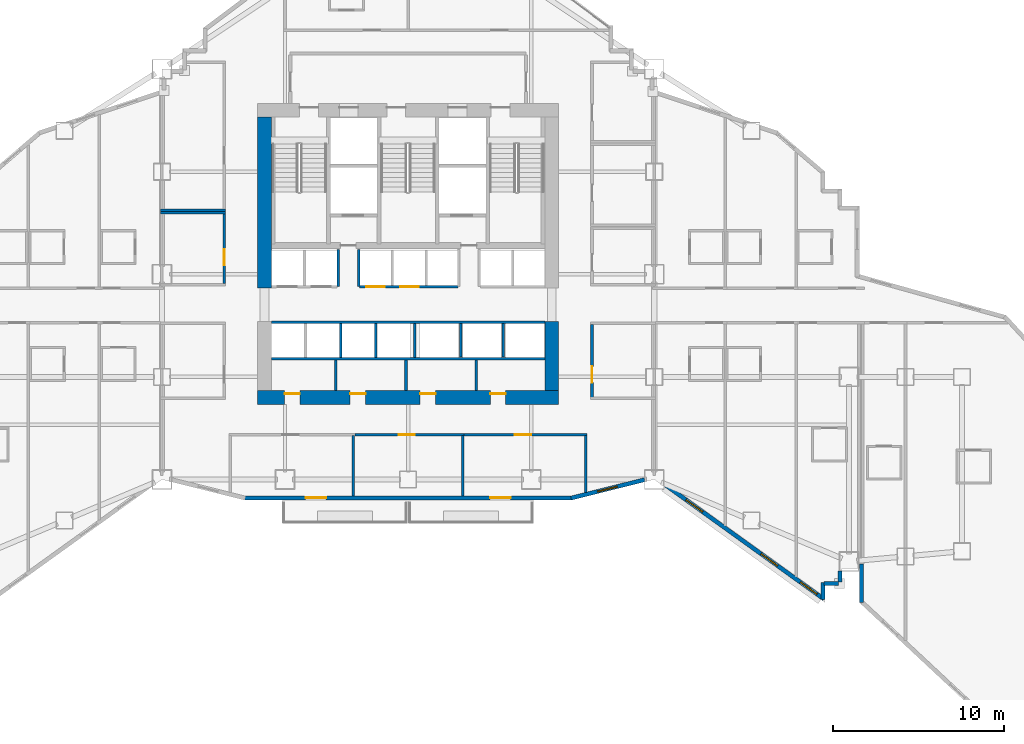
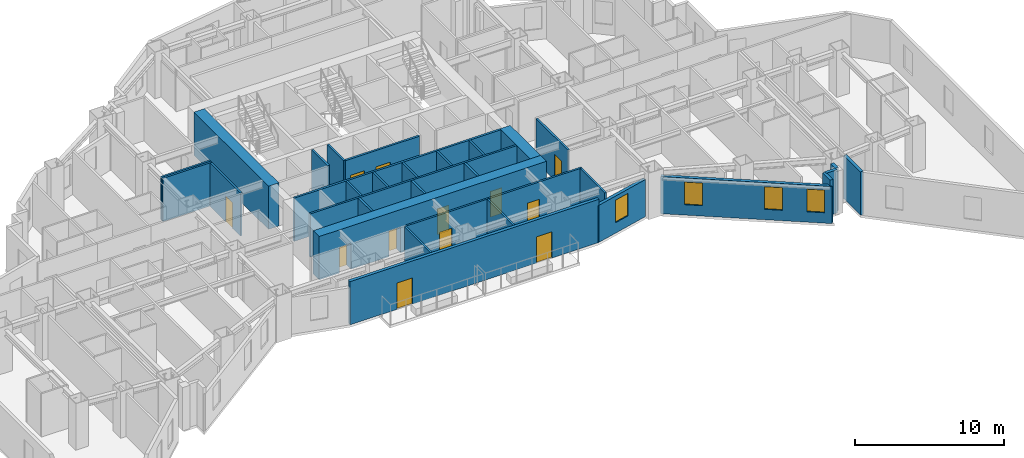
# One storey, part 9 of 16: 32 walls, 12 doors, 4 windows, 16 openings.
"""IFC4 building model written with IfcOpenShell, lengths in metres."""

from ifc_helpers import new_model, si_unit, direction, frame, frame_2d, origin, place, context, subcontext, project, spatial, rectangle, extrude, material, layer, layer_set, type_object, element, fill, save


model = new_model("IFC4")

# Units and contexts
model_context = context("Model", 3, precision=1e-05, world=origin(), true_north=direction((0.0, 1.0)))
body_context = subcontext(model_context, "Body", "Model", "MODEL_VIEW")
ifc_project = project(units=[si_unit("LENGTHUNIT", "METRE"), si_unit("AREAUNIT", "SQUARE_METRE"), si_unit("VOLUMEUNIT", "CUBIC_METRE"), si_unit("PLANEANGLEUNIT", "RADIAN"), si_unit("MASSUNIT", "GRAM", prefix="KILO")], contexts=[model_context])

# Site, building, storey
site_placement = place(None, origin())
site = spatial("IfcSite", under=ifc_project, at=site_placement, CompositionType="ELEMENT")
building_placement = place(site_placement, origin())
building = spatial("IfcBuilding", under=site, at=building_placement, Name="Haolan Belvedere Tower", CompositionType="ELEMENT")
storey_placement = place(building_placement, frame((0.0, 0.0, 85.60009765625)))
storey = spatial("IfcBuildingStorey", under=building, at=storey_placement, Name="L21", CompositionType="ELEMENT", Elevation=85.60009765625)

# Wall, openings, doors
ifc_material_1 = material(Name="Concrete C70/85", Category="concrete")
ifc_layer_1 = layer(ifc_material_1, 0.800048828125, Name="Concrete C70/85")
ifc_layer_set_1 = layer_set([ifc_layer_1], Name="Concrete C70/85")
wall_type_1 = type_object("IfcWallType", Name="WL-CORE-800", PredefinedType="SHEAR", material=ifc_layer_set_1)
wall_1_placement = place(storey_placement, frame((29.60009765625, 26.39990234375, 0.0), z_axis=(0.0, 0.0, 1.0), x_axis=(1.0, 0.0, 0.0)))
wall_1 = element("IfcWall", 1, at=wall_1_placement, inside=storey, type_object=wall_type_1, Name="L21 central core south shear wall", PredefinedType="SHEAR", context=body_context, shape_type="SweptSolid", body=[
    extrude(rectangle(XDim=17.599853515625, YDim=0.800048828125, at=frame_2d((8.7998046875, 0.0))), origin(), (0.0, 0.0, 1.0), 3.539794921875),
])
opening_1_placement = place(wall_1_placement, frame((2.469970703125, 0.0, 0.0), z_axis=(0.0, 0.0, 1.0), x_axis=(-1.0, 0.0, 0.0)))
opening_1 = element("IfcOpeningElement", 2, at=opening_1_placement, cuts=wall_1, Name="Opening FD-05", PredefinedType="OPENING", context=body_context, shape_type="SweptSolid", body=[
    extrude(rectangle(XDim=0.89990234375, YDim=2.10009765625, at=frame_2d((0.449951171875, 1.050048828125))), frame((0.0, 0.409912109375, 0.0), z_axis=(0.0, -1.0, 0.0), x_axis=(1.0, 0.0, 0.0)), (0.0, 0.0, 1.0), 0.820068359375),
])
opening_2_placement = place(wall_1_placement, frame((6.309814453125, 0.0, 0.0), z_axis=(0.0, 0.0, 1.0), x_axis=(-1.0, 0.0, 0.0)))
opening_2 = element("IfcOpeningElement", 3, at=opening_2_placement, cuts=wall_1, Name="Opening FD-05", PredefinedType="OPENING", context=body_context, shape_type="SweptSolid", body=[
    extrude(rectangle(XDim=0.89990234375, YDim=2.10009765625, at=frame_2d((0.449951171875, 1.050048828125))), frame((0.0, 0.409912109375, 0.0), z_axis=(0.0, -1.0, 0.0), x_axis=(1.0, 0.0, 0.0)), (0.0, 0.0, 1.0), 0.820068359375),
])
opening_3_placement = place(wall_1_placement, frame((10.409912109375, 0.0, 0.0), z_axis=(0.0, 0.0, 1.0), x_axis=(-1.0, 0.0, 0.0)))
opening_3 = element("IfcOpeningElement", 4, at=opening_3_placement, cuts=wall_1, Name="Opening FD-05", PredefinedType="OPENING", context=body_context, shape_type="SweptSolid", body=[
    extrude(rectangle(XDim=0.89990234375, YDim=2.10009765625, at=frame_2d((0.449951171875, 1.050048828125))), frame((0.0, 0.409912109375, 0.0), z_axis=(0.0, -1.0, 0.0), x_axis=(1.0, 0.0, 0.0)), (0.0, 0.0, 1.0), 0.820068359375),
])
opening_4_placement = place(wall_1_placement, frame((14.510009765625, 0.0, 0.0), z_axis=(0.0, 0.0, 1.0), x_axis=(-1.0, 0.0, 0.0)))
opening_4 = element("IfcOpeningElement", 5, at=opening_4_placement, cuts=wall_1, Name="Opening FD-05", PredefinedType="OPENING", context=body_context, shape_type="SweptSolid", body=[
    extrude(rectangle(XDim=0.89990234375, YDim=2.10009765625, at=frame_2d((0.449951171875, 1.050048828125))), frame((0.0, 0.409912109375, 0.0), z_axis=(0.0, -1.0, 0.0), x_axis=(1.0, 0.0, 0.0)), (0.0, 0.0, 1.0), 0.820068359375),
])
ifc_material_2 = material(Name="Galvanised fire-rated steel", Category="steel")
door_type_1 = type_object("IfcDoorType", Name="DR-FD60-900", OperationType="NOTDEFINED", PredefinedType="DOOR", material=ifc_material_2)
door_1_placement = place(opening_1_placement, origin())
door_1 = element("IfcDoor", 6, at=door_1_placement, inside=storey, type_object=door_type_1, Name="L21 door CD-L21-SCV-1", OperationType="SINGLE_SWING_LEFT", OverallHeight=2.10009765625, OverallWidth=0.89990234375, PredefinedType="DOOR", context=body_context, shape_type="SweptSolid", body=[
    extrude(rectangle(XDim=0.89990234375, YDim=2.10009765625, at=frame_2d((0.449951171875, 1.050048828125))), frame((0.0, -0.19482421875, 0.0), z_axis=(0.0, -1.0, 0.0), x_axis=(1.0, 0.0, 0.0)), (0.0, 0.0, 1.0), 0.050048828125),
])
fill(opening_1, door_1)
door_2_placement = place(opening_2_placement, origin())
door_2 = element("IfcDoor", 7, at=door_2_placement, inside=storey, type_object=door_type_1, Name="L21 door CD-L21-SCV-2", OperationType="SINGLE_SWING_RIGHT", OverallHeight=2.10009765625, OverallWidth=0.89990234375, PredefinedType="DOOR", context=body_context, shape_type="SweptSolid", body=[
    extrude(rectangle(XDim=0.89990234375, YDim=2.10009765625, at=frame_2d((0.449951171875, 1.050048828125))), frame((0.0, -0.19482421875, 0.0), z_axis=(0.0, -1.0, 0.0), x_axis=(1.0, 0.0, 0.0)), (0.0, 0.0, 1.0), 0.050048828125),
])
fill(opening_2, door_2)
door_3_placement = place(opening_3_placement, origin())
door_3 = element("IfcDoor", 8, at=door_3_placement, inside=storey, type_object=door_type_1, Name="L21 door CD-L21-SCV-3", OperationType="SINGLE_SWING_LEFT", OverallHeight=2.10009765625, OverallWidth=0.89990234375, PredefinedType="DOOR", context=body_context, shape_type="SweptSolid", body=[
    extrude(rectangle(XDim=0.89990234375, YDim=2.10009765625, at=frame_2d((0.449951171875, 1.050048828125))), frame((0.0, -0.19482421875, 0.0), z_axis=(0.0, -1.0, 0.0), x_axis=(1.0, 0.0, 0.0)), (0.0, 0.0, 1.0), 0.050048828125),
])
fill(opening_3, door_3)
door_4_placement = place(opening_4_placement, origin())
door_4 = element("IfcDoor", 9, at=door_4_placement, inside=storey, type_object=door_type_1, Name="L21 door CD-L21-SCV-4", OperationType="SINGLE_SWING_RIGHT", OverallHeight=2.10009765625, OverallWidth=0.89990234375, PredefinedType="DOOR", context=body_context, shape_type="SweptSolid", body=[
    extrude(rectangle(XDim=0.89990234375, YDim=2.10009765625, at=frame_2d((0.449951171875, 1.050048828125))), frame((0.0, -0.19482421875, 0.0), z_axis=(0.0, -1.0, 0.0), x_axis=(1.0, 0.0, 0.0)), (0.0, 0.0, 1.0), 0.050048828125),
])
fill(opening_4, door_4)

# Walls
wall_2_placement = place(storey_placement, frame((30.0, 32.800048828125, 0.0), z_axis=(0.0, 0.0, 1.0), x_axis=(0.0, 1.0, 0.0)))
element("IfcWall", 10, at=wall_2_placement, inside=storey, type_object=wall_type_1, Name="L21 central core shear wall WN", PredefinedType="SHEAR", context=body_context, shape_type="SweptSolid", body=[
    extrude(rectangle(XDim=10.0, YDim=0.800048828125, at=frame_2d((5.0, 0.0))), origin(), (0.0, 0.0, 1.0), 3.539794921875),
])
wall_3_placement = place(storey_placement, frame((46.800048828125, 26.800048828125, 0.0), z_axis=(0.0, 0.0, 1.0), x_axis=(0.0, 1.0, 0.0)))
element("IfcWall", 11, at=wall_3_placement, inside=storey, type_object=wall_type_1, Name="L21 central core shear wall ES", PredefinedType="SHEAR", context=body_context, shape_type="SweptSolid", body=[
    extrude(rectangle(XDim=4.050048828125, YDim=0.800048828125, at=frame_2d((2.02490234375, 0.0))), origin(), (0.0, 0.0, 1.0), 3.539794921875),
])

# Wall, openings, doors
ifc_material_3 = material(Name="Precast concrete C40/50", Category="concrete")
ifc_layer_2 = layer(ifc_material_3, 0.239990234375, Name="Precast concrete C40/50")
ifc_layer_set_2 = layer_set([ifc_layer_2], Name="Precast concrete C40/50")
wall_type_2 = type_object("IfcWallType", Name="WL-EXT-240", PredefinedType="SOLIDWALL", material=ifc_layer_set_2)
wall_4_placement = place(storey_placement, frame((28.759765625, 20.52001953125, 0.0), z_axis=(0.0, 0.0, 1.0), x_axis=(1.0, 0.0, 0.0)))
wall_4 = element("IfcWall", 12, at=wall_4_placement, inside=storey, type_object=wall_type_2, Name="L21 pale-metal exterior spandrel wall 13.1", PredefinedType="SOLIDWALL", context=body_context, shape_type="SweptSolid", body=[
    extrude(rectangle(XDim=19.280517578125, YDim=0.239990234375, at=frame_2d((9.64013671875, 0.0))), origin(), (0.0, 0.0, 1.0), 3.539794921875),
])
opening_5_placement = place(wall_4_placement, frame((4.840087890625, 0.0, 0.0), z_axis=(0.0, 0.0, 1.0), x_axis=(-1.0, 0.0, 0.0)))
opening_5 = element("IfcOpeningElement", 13, at=opening_5_placement, cuts=wall_4, Name="Opening BD-01", PredefinedType="OPENING", context=body_context, shape_type="SweptSolid", body=[
    extrude(rectangle(XDim=1.199951171875, YDim=2.14990234375, at=frame_2d((0.60009765625, 1.074951171875))), frame((0.0, 0.1298828125, 0.0), z_axis=(0.0, -1.0, 0.0), x_axis=(1.0, 0.0, 0.0)), (0.0, 0.0, 1.0), 0.260009765625),
])
opening_6_placement = place(wall_4_placement, frame((15.64013671875, 0.0, 0.0), z_axis=(0.0, 0.0, 1.0), x_axis=(-1.0, 0.0, 0.0)))
opening_6 = element("IfcOpeningElement", 14, at=opening_6_placement, cuts=wall_4, Name="Opening BD-01", PredefinedType="OPENING", context=body_context, shape_type="SweptSolid", body=[
    extrude(rectangle(XDim=1.199951171875, YDim=2.14990234375, at=frame_2d((0.60009765625, 1.074951171875))), frame((0.0, 0.1298828125, 0.0), z_axis=(0.0, -1.0, 0.0), x_axis=(1.0, 0.0, 0.0)), (0.0, 0.0, 1.0), 0.260009765625),
])
ifc_material_4 = material(Name="Thermally broken pale-metal aluminium and Low-E glass", Category="aluminium")
door_type_2 = type_object("IfcDoorType", Name="DR-BAL-1200", OperationType="NOTDEFINED", PredefinedType="DOOR", material=ifc_material_4)
door_5_placement = place(opening_5_placement, origin())
door_5 = element("IfcDoor", 15, at=door_5_placement, inside=storey, type_object=door_type_2, Name="L21 tree-balcony access door 1", OperationType="SINGLE_SWING_LEFT", OverallHeight=2.14990234375, OverallWidth=1.199951171875, PredefinedType="DOOR", context=body_context, shape_type="SweptSolid", body=[
    extrude(rectangle(XDim=1.199951171875, YDim=2.14990234375, at=frame_2d((0.60009765625, 1.074951171875))), frame((0.0, 0.02490234375, 0.0), z_axis=(0.0, -1.0, 0.0), x_axis=(1.0, 0.0, 0.0)), (0.0, 0.0, 1.0), 0.050048828125),
])
fill(opening_5, door_5)
door_6_placement = place(opening_6_placement, origin())
door_6 = element("IfcDoor", 16, at=door_6_placement, inside=storey, type_object=door_type_2, Name="L21 tree-balcony access door 2", OperationType="SINGLE_SWING_RIGHT", OverallHeight=2.14990234375, OverallWidth=1.199951171875, PredefinedType="DOOR", context=body_context, shape_type="SweptSolid", body=[
    extrude(rectangle(XDim=1.199951171875, YDim=2.14990234375, at=frame_2d((0.60009765625, 1.074951171875))), frame((0.0, 0.02490234375, 0.0), z_axis=(0.0, -1.0, 0.0), x_axis=(1.0, 0.0, 0.0)), (0.0, 0.0, 1.0), 0.050048828125),
])
fill(opening_6, door_6)

# Wall, opening, window
wall_5_placement = place(storey_placement, frame((47.931884765625, 20.506591796875, 0.0), z_axis=(0.0, 0.0, 1.0), x_axis=(0.970145739396, 0.242522667667, 0.0)))
wall_5 = element("IfcWall", 17, at=wall_5_placement, inside=storey, type_object=wall_type_2, Name="L21 pale-metal exterior spandrel wall 14.1", PredefinedType="SOLIDWALL", context=body_context, shape_type="SweptSolid", body=[
    extrude(rectangle(XDim=4.433349609375, YDim=0.239990234375, at=frame_2d((2.216796875, 0.0))), origin(), (0.0, 0.0, 1.0), 3.036865234375),
])
opening_7_placement = place(wall_5_placement, frame((1.60009765625, 0.0, 0.85009765625)))
opening_7 = element("IfcOpeningElement", 18, at=opening_7_placement, cuts=wall_5, Name="Opening W-01", PredefinedType="OPENING", context=body_context, shape_type="SweptSolid", body=[
    extrude(rectangle(XDim=1.199951171875, YDim=1.85009765625, at=frame_2d((0.60009765625, 0.925048828125))), frame((0.0, 0.1298828125, 0.0), z_axis=(0.0, -1.0, 0.0), x_axis=(1.0, 0.0, 0.0)), (0.0, 0.0, 1.0), 0.260009765625),
])
ifc_material_5 = material(Name="Anodised aluminium 6063-T6 and Low-E glass", Category="aluminium")
window_type = type_object("IfcWindowType", Name="WN-DECO-Z1", PartitioningType="SINGLE_PANEL", PredefinedType="WINDOW", material=ifc_material_5)
window_1_placement = place(opening_7_placement, origin())
window_1 = element("IfcWindow", 19, at=window_1_placement, inside=storey, type_object=window_type, Name="L21 Art Deco chevron window 1", OverallHeight=1.85009765625, OverallWidth=1.199951171875, PartitioningType="SINGLE_PANEL", PredefinedType="WINDOW", context=body_context, shape_type="SweptSolid", body=[
    extrude(rectangle(XDim=1.199951171875, YDim=1.85009765625, at=frame_2d((0.60009765625, 0.925048828125))), frame((0.0, 0.030029296875, 0.0), z_axis=(0.0, -1.0, 0.0), x_axis=(1.0, 0.0, 0.0)), (0.0, 0.0, 1.0), 0.06005859375),
])
fill(opening_7, window_1)

# Wall, openings, windows
wall_6_placement = place(storey_placement, frame((53.366943359375, 21.339599609375, 0.0), z_axis=(0.0, 0.0, 1.0), x_axis=(0.811543176492, -0.58429245476, 0.0)))
wall_6 = element("IfcWall", 20, at=wall_6_placement, inside=storey, type_object=wall_type_2, Name="L21 pale-metal exterior spandrel wall 15.1", PredefinedType="SOLIDWALL", context=body_context, shape_type="SweptSolid", body=[
    extrude(rectangle(XDim=11.53076171875, YDim=0.239990234375, at=frame_2d((5.765380859375, 0.0))), origin(), (0.0, 0.0, 1.0), 3.036865234375),
])
opening_8_placement = place(wall_6_placement, frame((1.60009765625, 0.0, 0.85009765625)))
opening_8 = element("IfcOpeningElement", 21, at=opening_8_placement, cuts=wall_6, Name="Opening W-01", PredefinedType="OPENING", context=body_context, shape_type="SweptSolid", body=[
    extrude(rectangle(XDim=1.199951171875, YDim=1.85009765625, at=frame_2d((0.60009765625, 0.925048828125))), frame((0.0, 0.1298828125, 0.0), z_axis=(0.0, -1.0, 0.0), x_axis=(1.0, 0.0, 0.0)), (0.0, 0.0, 1.0), 0.260009765625),
])
opening_9_placement = place(wall_6_placement, frame((7.0, 0.0, 0.85009765625)))
opening_9 = element("IfcOpeningElement", 22, at=opening_9_placement, cuts=wall_6, Name="Opening W-01", PredefinedType="OPENING", context=body_context, shape_type="SweptSolid", body=[
    extrude(rectangle(XDim=1.199951171875, YDim=1.85009765625, at=frame_2d((0.60009765625, 0.925048828125))), frame((0.0, 0.1298828125, 0.0), z_axis=(0.0, -1.0, 0.0), x_axis=(1.0, 0.0, 0.0)), (0.0, 0.0, 1.0), 0.260009765625),
])
opening_10_placement = place(wall_6_placement, frame((9.842041015625, 0.0, 0.85009765625)))
opening_10 = element("IfcOpeningElement", 23, at=opening_10_placement, cuts=wall_6, Name="Opening W-01", PredefinedType="OPENING", context=body_context, shape_type="SweptSolid", body=[
    extrude(rectangle(XDim=1.199951171875, YDim=1.85009765625, at=frame_2d((0.60009765625, 0.925048828125))), frame((0.0, 0.1298828125, 0.0), z_axis=(0.0, -1.0, 0.0), x_axis=(1.0, 0.0, 0.0)), (0.0, 0.0, 1.0), 0.260009765625),
])
window_2_placement = place(opening_8_placement, origin())
window_2 = element("IfcWindow", 24, at=window_2_placement, inside=storey, type_object=window_type, Name="L21 Art Deco chevron window 1", OverallHeight=1.85009765625, OverallWidth=1.199951171875, PartitioningType="SINGLE_PANEL", PredefinedType="WINDOW", context=body_context, shape_type="SweptSolid", body=[
    extrude(rectangle(XDim=1.199951171875, YDim=1.85009765625, at=frame_2d((0.60009765625, 0.925048828125))), frame((0.0, 0.030029296875, 0.0), z_axis=(0.0, -1.0, 0.0), x_axis=(1.0, 0.0, 0.0)), (0.0, 0.0, 1.0), 0.06005859375),
])
fill(opening_8, window_2)
window_3_placement = place(opening_9_placement, origin())
window_3 = element("IfcWindow", 25, at=window_3_placement, inside=storey, type_object=window_type, Name="L21 Art Deco chevron window 2", OverallHeight=1.85009765625, OverallWidth=1.199951171875, PartitioningType="SINGLE_PANEL", PredefinedType="WINDOW", context=body_context, shape_type="SweptSolid", body=[
    extrude(rectangle(XDim=1.199951171875, YDim=1.85009765625, at=frame_2d((0.60009765625, 0.925048828125))), frame((0.0, 0.030029296875, 0.0), z_axis=(0.0, -1.0, 0.0), x_axis=(1.0, 0.0, 0.0)), (0.0, 0.0, 1.0), 0.06005859375),
])
fill(opening_9, window_3)
window_4_placement = place(opening_10_placement, origin())
window_4 = element("IfcWindow", 26, at=window_4_placement, inside=storey, type_object=window_type, Name="L21 Art Deco guestroom window 3", OverallHeight=1.85009765625, OverallWidth=1.199951171875, PartitioningType="SINGLE_PANEL", PredefinedType="WINDOW", context=body_context, shape_type="SweptSolid", body=[
    extrude(rectangle(XDim=1.199951171875, YDim=1.85009765625, at=frame_2d((0.60009765625, 0.925048828125))), frame((0.0, 0.030029296875, 0.0), z_axis=(0.0, -1.0, 0.0), x_axis=(1.0, 0.0, 0.0)), (0.0, 0.0, 1.0), 0.06005859375),
])
fill(opening_10, window_4)

# Walls
wall_7_placement = place(storey_placement, frame((62.679931640625, 14.579345703125, 0.0), z_axis=(0.0, 0.0, 1.0), x_axis=(0.0, 1.0, 0.0)))
element("IfcWall", 27, at=wall_7_placement, inside=storey, type_object=wall_type_2, Name="L21 pale-metal exterior spandrel wall 16.1", PredefinedType="SOLIDWALL", context=body_context, shape_type="SweptSolid", body=[
    extrude(rectangle(XDim=0.99560546875, YDim=0.239990234375, at=frame_2d((0.497802734375, 0.0))), origin(), (0.0, 0.0, 1.0), 3.539794921875),
])
wall_8_placement = place(storey_placement, frame((62.7451171875, 15.52001953125, 0.0), z_axis=(0.0, 0.0, 1.0), x_axis=(1.0, 0.0, 0.0)))
element("IfcWall", 28, at=wall_8_placement, inside=storey, type_object=wall_type_2, Name="L21 pale-metal exterior spandrel wall 17.1", PredefinedType="SOLIDWALL", context=body_context, shape_type="SweptSolid", body=[
    extrude(rectangle(XDim=0.849853515625, YDim=0.239990234375, at=frame_2d((0.4248046875, 0.0))), origin(), (0.0, 0.0, 1.0), 3.539794921875),
])
wall_9_placement = place(storey_placement, frame((63.679931640625, 15.60498046875, 0.0), z_axis=(0.0, 0.0, 1.0), x_axis=(0.0, 1.0, 0.0)))
element("IfcWall", 29, at=wall_9_placement, inside=storey, type_object=wall_type_2, Name="L21 pale-metal exterior spandrel wall 18.1", PredefinedType="SOLIDWALL", context=body_context, shape_type="SweptSolid", body=[
    extrude(rectangle(XDim=0.6279296875, YDim=0.239990234375, at=frame_2d((0.31396484375, 0.0))), origin(), (0.0, 0.0, 1.0), 3.539794921875),
])
wall_10_placement = place(storey_placement, frame((64.919921875, 16.639892578125, 0.0), z_axis=(0.0, 0.0, 1.0), x_axis=(0.0, -1.0, 0.0)))
element("IfcWall", 30, at=wall_10_placement, inside=storey, type_object=wall_type_2, Name="L21 pale-metal exterior spandrel wall 20.1", PredefinedType="SOLIDWALL", context=body_context, shape_type="SweptSolid", body=[
    extrude(rectangle(XDim=2.24267578125, YDim=0.239990234375, at=frame_2d((1.121337890625, 0.0))), origin(), (0.0, 0.0, 1.0), 3.539794921875),
])
ifc_material_6 = material(Name="Double gypsum acoustic stud partition", Category="masonry")
ifc_layer_3 = layer(ifc_material_6, 0.14990234375, Name="Double gypsum acoustic stud partition")
ifc_layer_set_3 = layer_set([ifc_layer_3], Name="Double gypsum acoustic stud partition")
wall_type_3 = type_object("IfcWallType", Name="WL-PART-150", PredefinedType="PARTITIONING", material=ifc_layer_set_3)
wall_11_placement = place(storey_placement, frame((30.39990234375, 28.659912109375, 0.0), z_axis=(0.0, 0.0, 1.0), x_axis=(1.0, 0.0, 0.0)))
element("IfcWall", 31, at=wall_11_placement, inside=storey, type_object=wall_type_3, Name="L21 interior partition IW-L21-SSTRIP-N", PredefinedType="PARTITIONING", context=body_context, shape_type="SweptSolid", body=[
    extrude(rectangle(XDim=16.0, YDim=0.14990234375, at=frame_2d((8.0, 0.0))), origin(), (0.0, 0.0, 1.0), 3.539794921875),
])
for number, where, z_axis, x_axis, name in (
    (32, (34.179931640625, 26.81005859375, 0.0), (0.0, 0.0, 1.0), (0.0, 1.0, 0.0), "L21 interior partition IW-L21-SCV-DIV-1"),
    (33, (38.280029296875, 26.81005859375, 0.0), (0.0, 0.0, 1.0), (0.0, 1.0, 0.0), "L21 interior partition IW-L21-SCV-DIV-2"),
    (34, (42.3798828125, 26.81005859375, 0.0), (0.0, 0.0, 1.0), (0.0, 1.0, 0.0), "L21 interior partition IW-L21-SCV-DIV-3"),
):
    element("IfcWall", number, at=place(storey_placement, frame(where, z_axis=z_axis, x_axis=x_axis)), inside=storey, type_object=wall_type_3, Name=name, PredefinedType="PARTITIONING", context=body_context, shape_type="SweptSolid", body=[
        extrude(rectangle(XDim=1.77001953125, YDim=0.14990234375, at=frame_2d((0.885009765625, 0.0))), origin(), (0.0, 0.0, 1.0), 3.539794921875),
    ])
wall_12_placement = place(storey_placement, frame((23.919921875, 37.199951171875, 0.0), z_axis=(0.0, 0.0, 1.0), x_axis=(1.0, 0.0, 0.0)))
element("IfcWall", 35, at=wall_12_placement, inside=storey, type_object=wall_type_3, Name="L21 interior partition IW-L21-HSK-N", PredefinedType="PARTITIONING", context=body_context, shape_type="SweptSolid", body=[
    extrude(rectangle(XDim=3.800048828125, YDim=0.14990234375, at=frame_2d((1.89990234375, 0.0))), origin(), (0.0, 0.0, 1.0), 3.539794921875),
])

# Wall, opening, door
wall_13_placement = place(storey_placement, frame((27.639892578125, 33.06005859375, 0.0), z_axis=(0.0, 0.0, 1.0), x_axis=(0.0, 1.0, 0.0)))
wall_13 = element("IfcWall", 36, at=wall_13_placement, inside=storey, type_object=wall_type_3, Name="L21 interior partition IW-L21-HSK-E", PredefinedType="PARTITIONING", context=body_context, shape_type="SweptSolid", body=[
    extrude(rectangle(XDim=4.079833984375, YDim=0.14990234375, at=frame_2d((2.0400390625, 0.0))), origin(), (0.0, 0.0, 1.0), 3.539794921875),
])
opening_11_placement = place(wall_13_placement, frame((2.010009765625, 0.0, 0.0), z_axis=(0.0, 0.0, 1.0), x_axis=(-1.0, 0.0, 0.0)))
opening_11 = element("IfcOpeningElement", 37, at=opening_11_placement, cuts=wall_13, Name="Opening ID-03", PredefinedType="OPENING", context=body_context, shape_type="SweptSolid", body=[
    extrude(rectangle(XDim=0.949951171875, YDim=2.1201171875, at=frame_2d((0.47509765625, 1.06005859375))), frame((0.0, 0.0849609375, 0.0), z_axis=(0.0, -1.0, 0.0), x_axis=(1.0, 0.0, 0.0)), (0.0, 0.0, 1.0), 0.169921875),
])
ifc_material_7 = material(Name="Painted solid-core timber", Category="wood")
door_type_3 = type_object("IfcDoorType", Name="DR-INT-950", OperationType="NOTDEFINED", PredefinedType="DOOR", material=ifc_material_7)
door_7_placement = place(opening_11_placement, origin())
door_7 = element("IfcDoor", 38, at=door_7_placement, inside=storey, type_object=door_type_3, Name="L21 door ID-L21-HSK", OperationType="SINGLE_SWING_LEFT", OverallHeight=2.1201171875, OverallWidth=0.949951171875, PredefinedType="DOOR", context=body_context, shape_type="SweptSolid", body=[
    extrude(rectangle(XDim=0.949951171875, YDim=2.1201171875, at=frame_2d((0.47509765625, 1.06005859375))), frame((0.0, 0.02490234375, 0.0), z_axis=(0.0, -1.0, 0.0), x_axis=(1.0, 0.0, 0.0)), (0.0, 0.0, 1.0), 0.050048828125),
])
fill(opening_11, door_7)

# Wall
wall_14_placement = place(storey_placement, frame((23.919921875, 37.360107421875, 0.0), z_axis=(0.0, 0.0, 1.0), x_axis=(1.0, 0.0, 0.0)))
element("IfcWall", 39, at=wall_14_placement, inside=storey, type_object=wall_type_3, Name="L21 interior partition IW-L21-MTG-S", PredefinedType="PARTITIONING", context=body_context, shape_type="SweptSolid", body=[
    extrude(rectangle(XDim=3.800048828125, YDim=0.14990234375, at=frame_2d((1.89990234375, 0.0))), origin(), (0.0, 0.0, 1.0), 3.539794921875),
])

# Wall, opening, door
wall_15_placement = place(storey_placement, frame((49.159912109375, 26.409912109375, 0.0), z_axis=(0.0, 0.0, 1.0), x_axis=(0.0, 1.0, 0.0)))
wall_15 = element("IfcWall", 40, at=wall_15_placement, inside=storey, type_object=wall_type_3, Name="L21 interior partition IW-L21-PKTE-W", PredefinedType="PARTITIONING", context=body_context, shape_type="SweptSolid", body=[
    extrude(rectangle(XDim=4.260009765625, YDim=0.14990234375, at=frame_2d((2.1298828125, 0.0))), origin(), (0.0, 0.0, 1.0), 3.539794921875),
])
opening_12_placement = place(wall_15_placement, frame((0.860107421875, 0.0, 0.0)))
opening_12 = element("IfcOpeningElement", 41, at=opening_12_placement, cuts=wall_15, Name="Opening ID-03", PredefinedType="OPENING", context=body_context, shape_type="SweptSolid", body=[
    extrude(rectangle(XDim=0.949951171875, YDim=2.1201171875, at=frame_2d((0.47509765625, 1.06005859375))), frame((0.0, 0.0849609375, 0.0), z_axis=(0.0, -1.0, 0.0), x_axis=(1.0, 0.0, 0.0)), (0.0, 0.0, 1.0), 0.169921875),
])
door_8_placement = place(opening_12_placement, origin())
door_8 = element("IfcDoor", 42, at=door_8_placement, inside=storey, type_object=door_type_3, Name="L21 door ID-L21-PKTE", OperationType="SINGLE_SWING_RIGHT", OverallHeight=2.1201171875, OverallWidth=0.949951171875, PredefinedType="DOOR", context=body_context, shape_type="SweptSolid", body=[
    extrude(rectangle(XDim=0.949951171875, YDim=2.1201171875, at=frame_2d((0.47509765625, 1.06005859375))), frame((0.0, 0.02490234375, 0.0), z_axis=(0.0, -1.0, 0.0), x_axis=(1.0, 0.0, 0.0)), (0.0, 0.0, 1.0), 0.050048828125),
])
fill(opening_12, door_8)

# Wall
wall_16_placement = place(storey_placement, frame((35.199951171875, 20.625, 0.0), z_axis=(0.0, 0.0, 1.0), x_axis=(0.0, 1.0, 0.0)))
element("IfcWall", 43, at=wall_16_placement, inside=storey, type_object=wall_type_3, Name="L21 interior partition IW-L21-KS2-E", PredefinedType="PARTITIONING", context=body_context, shape_type="SweptSolid", body=[
    extrude(rectangle(XDim=3.534912109375, YDim=0.14990234375, at=frame_2d((1.767578125, 0.0))), origin(), (0.0, 0.0, 1.0), 3.539794921875),
])

# Wall, opening, door
wall_17_placement = place(storey_placement, frame((35.281982421875, 24.219970703125, 0.0), z_axis=(0.0, 0.0, 1.0), x_axis=(1.0, 0.0, 0.0)))
wall_17 = element("IfcWall", 44, at=wall_17_placement, inside=storey, type_object=wall_type_3, Name="L21 interior partition IW-L21-KS3-N", PredefinedType="PARTITIONING", context=body_context, shape_type="SweptSolid", body=[
    extrude(rectangle(XDim=6.39794921875, YDim=0.14990234375, at=frame_2d((3.198974609375, 0.0))), origin(), (0.0, 0.0, 1.0), 3.539794921875),
])
opening_13_placement = place(wall_17_placement, frame((3.512939453125, 0.0, 0.0), z_axis=(0.0, 0.0, 1.0), x_axis=(-1.0, 0.0, 0.0)))
opening_13 = element("IfcOpeningElement", 45, at=opening_13_placement, cuts=wall_17, Name="Opening ID-03", PredefinedType="OPENING", context=body_context, shape_type="SweptSolid", body=[
    extrude(rectangle(XDim=0.949951171875, YDim=2.1201171875, at=frame_2d((0.47509765625, 1.06005859375))), frame((0.0, 0.0849609375, 0.0), z_axis=(0.0, -1.0, 0.0), x_axis=(1.0, 0.0, 0.0)), (0.0, 0.0, 1.0), 0.169921875),
])
door_9_placement = place(opening_13_placement, origin())
door_9 = element("IfcDoor", 46, at=door_9_placement, inside=storey, type_object=door_type_3, Name="L21 door ID-L21-KS3", OperationType="SINGLE_SWING_LEFT", OverallHeight=2.1201171875, OverallWidth=0.949951171875, PredefinedType="DOOR", context=body_context, shape_type="SweptSolid", body=[
    extrude(rectangle(XDim=0.949951171875, YDim=2.1201171875, at=frame_2d((0.47509765625, 1.06005859375))), frame((0.0, 0.02490234375, 0.0), z_axis=(0.0, -1.0, 0.0), x_axis=(1.0, 0.0, 0.0)), (0.0, 0.0, 1.0), 0.050048828125),
])
fill(opening_13, door_9)

# Wall
wall_18_placement = place(storey_placement, frame((41.60009765625, 20.625, 0.0), z_axis=(0.0, 0.0, 1.0), x_axis=(0.0, 1.0, 0.0)))
element("IfcWall", 47, at=wall_18_placement, inside=storey, type_object=wall_type_3, Name="L21 interior partition IW-L21-KS3-E", PredefinedType="PARTITIONING", context=body_context, shape_type="SweptSolid", body=[
    extrude(rectangle(XDim=3.534912109375, YDim=0.14990234375, at=frame_2d((1.767578125, 0.0))), origin(), (0.0, 0.0, 1.0), 3.539794921875),
])

# Wall, opening, door
wall_19_placement = place(storey_placement, frame((41.681884765625, 24.219970703125, 0.0), z_axis=(0.0, 0.0, 1.0), x_axis=(1.0, 0.0, 0.0)))
wall_19 = element("IfcWall", 48, at=wall_19_placement, inside=storey, type_object=wall_type_3, Name="L21 interior partition IW-L21-KS4-N", PredefinedType="PARTITIONING", context=body_context, shape_type="SweptSolid", body=[
    extrude(rectangle(XDim=7.197998046875, YDim=0.14990234375, at=frame_2d((3.59912109375, 0.0))), origin(), (0.0, 0.0, 1.0), 3.539794921875),
])
opening_14_placement = place(wall_19_placement, frame((3.912841796875, 0.0, 0.0), z_axis=(0.0, 0.0, 1.0), x_axis=(-1.0, 0.0, 0.0)))
opening_14 = element("IfcOpeningElement", 49, at=opening_14_placement, cuts=wall_19, Name="Opening ID-03", PredefinedType="OPENING", context=body_context, shape_type="SweptSolid", body=[
    extrude(rectangle(XDim=0.949951171875, YDim=2.1201171875, at=frame_2d((0.47509765625, 1.06005859375))), frame((0.0, 0.0849609375, 0.0), z_axis=(0.0, -1.0, 0.0), x_axis=(1.0, 0.0, 0.0)), (0.0, 0.0, 1.0), 0.169921875),
])
door_10_placement = place(opening_14_placement, origin())
door_10 = element("IfcDoor", 50, at=door_10_placement, inside=storey, type_object=door_type_3, Name="L21 door ID-L21-KS4", OperationType="SINGLE_SWING_RIGHT", OverallHeight=2.1201171875, OverallWidth=0.949951171875, PredefinedType="DOOR", context=body_context, shape_type="SweptSolid", body=[
    extrude(rectangle(XDim=0.949951171875, YDim=2.1201171875, at=frame_2d((0.47509765625, 1.06005859375))), frame((0.0, 0.02490234375, 0.0), z_axis=(0.0, -1.0, 0.0), x_axis=(1.0, 0.0, 0.0)), (0.0, 0.0, 1.0), 0.050048828125),
])
fill(opening_14, door_10)

# Walls
wall_20_placement = place(storey_placement, frame((48.800048828125, 20.83203125, 0.0), z_axis=(0.0, 0.0, 1.0), x_axis=(0.0, 1.0, 0.0)))
element("IfcWall", 51, at=wall_20_placement, inside=storey, type_object=wall_type_3, Name="L21 interior partition IW-L21-KS4-E", PredefinedType="PARTITIONING", context=body_context, shape_type="SweptSolid", body=[
    extrude(rectangle(XDim=3.327880859375, YDim=0.14990234375, at=frame_2d((1.6640625, 0.0))), origin(), (0.0, 0.0, 1.0), 3.539794921875),
])
ifc_material_8 = material(Name="Gypsum fire shaftwall assembly", Category="masonry")
ifc_layer_4 = layer(ifc_material_8, 0.1650390625, Name="Gypsum fire shaftwall assembly")
ifc_layer_set_4 = layer_set([ifc_layer_4], Name="Gypsum fire shaftwall assembly")
wall_type_4 = type_object("IfcWallType", Name="WL-SHAFT-160", PredefinedType="SOLIDWALL", material=ifc_layer_set_4)
for number, where, z_axis, x_axis, name in (
    (52, (34.31005859375, 32.8798828125, 0.0), (0.0, 0.0, 1.0), (0.0, 1.0, 0.0), "L21 interior partition IW-L21-SVP-W-SV1"),
    (53, (35.510009765625, 32.8798828125, 0.0), (0.0, 0.0, 1.0), (0.0, 1.0, 0.0), "L21 interior partition IW-L21-SVP-E-SV1"),
):
    element("IfcWall", number, at=place(storey_placement, frame(where, z_axis=z_axis, x_axis=x_axis)), inside=storey, type_object=wall_type_4, Name=name, PredefinedType="SOLIDWALL", context=body_context, shape_type="SweptSolid", body=[
        extrude(rectangle(XDim=2.170166015625, YDim=0.14990234375, at=frame_2d((1.0849609375, 0.0))), origin(), (0.0, 0.0, 1.0), 3.539794921875),
    ])

# Wall, openings, doors
wall_21_placement = place(storey_placement, frame((35.570068359375, 32.8798828125, 0.0), z_axis=(0.0, 0.0, 1.0), x_axis=(1.0, 0.0, 0.0)))
wall_21 = element("IfcWall", 54, at=wall_21_placement, inside=storey, type_object=wall_type_4, Name="L21 interior partition IW-L21-ROW-PN2", PredefinedType="SOLIDWALL", context=body_context, shape_type="SweptSolid", body=[
    extrude(rectangle(XDim=5.739990234375, YDim=0.159912109375, at=frame_2d((2.8701171875, 0.0))), origin(), (0.0, 0.0, 1.0), 3.539794921875),
])
opening_15_placement = place(wall_21_placement, frame((1.47021484375, 0.0, 0.0), z_axis=(0.0, 0.0, 1.0), x_axis=(-1.0, 0.0, 0.0)))
opening_15 = element("IfcOpeningElement", 55, at=opening_15_placement, cuts=wall_21, Name="Opening LD-01", PredefinedType="OPENING", context=body_context, shape_type="SweptSolid", body=[
    extrude(rectangle(XDim=1.10009765625, YDim=2.199951171875, at=frame_2d((0.550048828125, 1.10009765625))), frame((0.0, 0.08984375, 0.0), z_axis=(0.0, -1.0, 0.0), x_axis=(1.0, 0.0, 0.0)), (0.0, 0.0, 1.0), 0.179931640625),
])
opening_16_placement = place(wall_21_placement, frame((3.460205078125, 0.0, 0.0), z_axis=(0.0, 0.0, 1.0), x_axis=(-1.0, 0.0, 0.0)))
opening_16 = element("IfcOpeningElement", 56, at=opening_16_placement, cuts=wall_21, Name="Opening LD-01", PredefinedType="OPENING", context=body_context, shape_type="SweptSolid", body=[
    extrude(rectangle(XDim=1.10009765625, YDim=2.199951171875, at=frame_2d((0.550048828125, 1.10009765625))), frame((0.0, 0.08984375, 0.0), z_axis=(0.0, -1.0, 0.0), x_axis=(1.0, 0.0, 0.0)), (0.0, 0.0, 1.0), 0.179931640625),
])
ifc_material_9 = material(Name="Brushed champagne stainless steel 316L", Category="steel")
door_type_4 = type_object("IfcDoorType", Name="DR-LIFT-1100", OperationType="SLIDING_TO_LEFT", PredefinedType="DOOR", material=ifc_material_9)
door_11_placement = place(opening_15_placement, origin())
door_11 = element("IfcDoor", 57, at=door_11_placement, inside=storey, type_object=door_type_4, Name="L21 door ID-L21-LD-PL3", OperationType="SLIDING_TO_LEFT", OverallHeight=2.199951171875, OverallWidth=1.10009765625, PredefinedType="DOOR", context=body_context, shape_type="SweptSolid", body=[
    extrude(rectangle(XDim=1.10009765625, YDim=2.199951171875, at=frame_2d((0.550048828125, 1.10009765625))), frame((0.0, 0.02490234375, 0.0), z_axis=(0.0, -1.0, 0.0), x_axis=(1.0, 0.0, 0.0)), (0.0, 0.0, 1.0), 0.050048828125),
])
fill(opening_15, door_11)
door_12_placement = place(opening_16_placement, origin())
door_12 = element("IfcDoor", 58, at=door_12_placement, inside=storey, type_object=door_type_4, Name="L21 door ID-L21-LD-PL4", OperationType="SLIDING_TO_LEFT", OverallHeight=2.199951171875, OverallWidth=1.10009765625, PredefinedType="DOOR", context=body_context, shape_type="SweptSolid", body=[
    extrude(rectangle(XDim=1.10009765625, YDim=2.199951171875, at=frame_2d((0.550048828125, 1.10009765625))), frame((0.0, 0.02490234375, 0.0), z_axis=(0.0, -1.0, 0.0), x_axis=(1.0, 0.0, 0.0)), (0.0, 0.0, 1.0), 0.050048828125),
])
fill(opening_16, door_12)

# Walls
wall_22_placement = place(storey_placement, frame((30.39990234375, 30.800048828125, 0.0), z_axis=(0.0, 0.0, 1.0), x_axis=(1.0, 0.0, 0.0)))
element("IfcWall", 59, at=wall_22_placement, inside=storey, type_object=wall_type_4, Name="L21 interior partition IW-L21-ROW-PS", PredefinedType="SOLIDWALL", context=body_context, shape_type="SweptSolid", body=[
    extrude(rectangle(XDim=16.0, YDim=0.159912109375, at=frame_2d((8.0, 0.0))), origin(), (0.0, 0.0, 1.0), 3.539794921875),
])
for number, where, z_axis, x_axis, name in (
    (60, (34.4599609375, 28.735107421875, 0.0), (0.0, 0.0, 1.0), (0.0, 1.0, 0.0), "L21 interior partition IW-L21-DIV-PM2"),
    (61, (36.52001953125, 28.735107421875, 0.0), (0.0, 0.0, 1.0), (0.0, 1.0, 0.0), "L21 interior partition IW-L21-DIV-PM3"),
    (62, (38.800048828125, 28.735107421875, 0.0), (0.0, 0.0, 1.0), (0.0, 1.0, 0.0), "L21 interior partition IW-L21-DIV-PM4"),
):
    element("IfcWall", number, at=place(storey_placement, frame(where, z_axis=z_axis, x_axis=x_axis)), inside=storey, type_object=wall_type_4, Name=name, PredefinedType="SOLIDWALL", context=body_context, shape_type="SweptSolid", body=[
        extrude(rectangle(XDim=1.98486328125, YDim=0.14990234375, at=frame_2d((0.992431640625, 0.0))), origin(), (0.0, 0.0, 1.0), 3.539794921875),
    ])
for number, where, z_axis, x_axis, name in (
    (63, (41.469970703125, 28.75, 0.0), (0.0, 0.0, 1.0), (0.0, 1.0, 0.0), "L21 interior partition IW-L21-DIV-OB1"),
    (64, (43.97998046875, 28.75, 0.0), (0.0, 0.0, 1.0), (0.0, 1.0, 0.0), "L21 interior partition IW-L21-DIV-OB2"),
):
    element("IfcWall", number, at=place(storey_placement, frame(where, z_axis=z_axis, x_axis=x_axis)), inside=storey, type_object=wall_type_4, Name=name, PredefinedType="SOLIDWALL", context=body_context, shape_type="SweptSolid", body=[
        extrude(rectangle(XDim=1.985107421875, YDim=0.14990234375, at=frame_2d((0.99267578125, 0.0))), origin(), (0.0, 0.0, 1.0), 3.539794921875),
    ])

save(model, "model.ifc")
